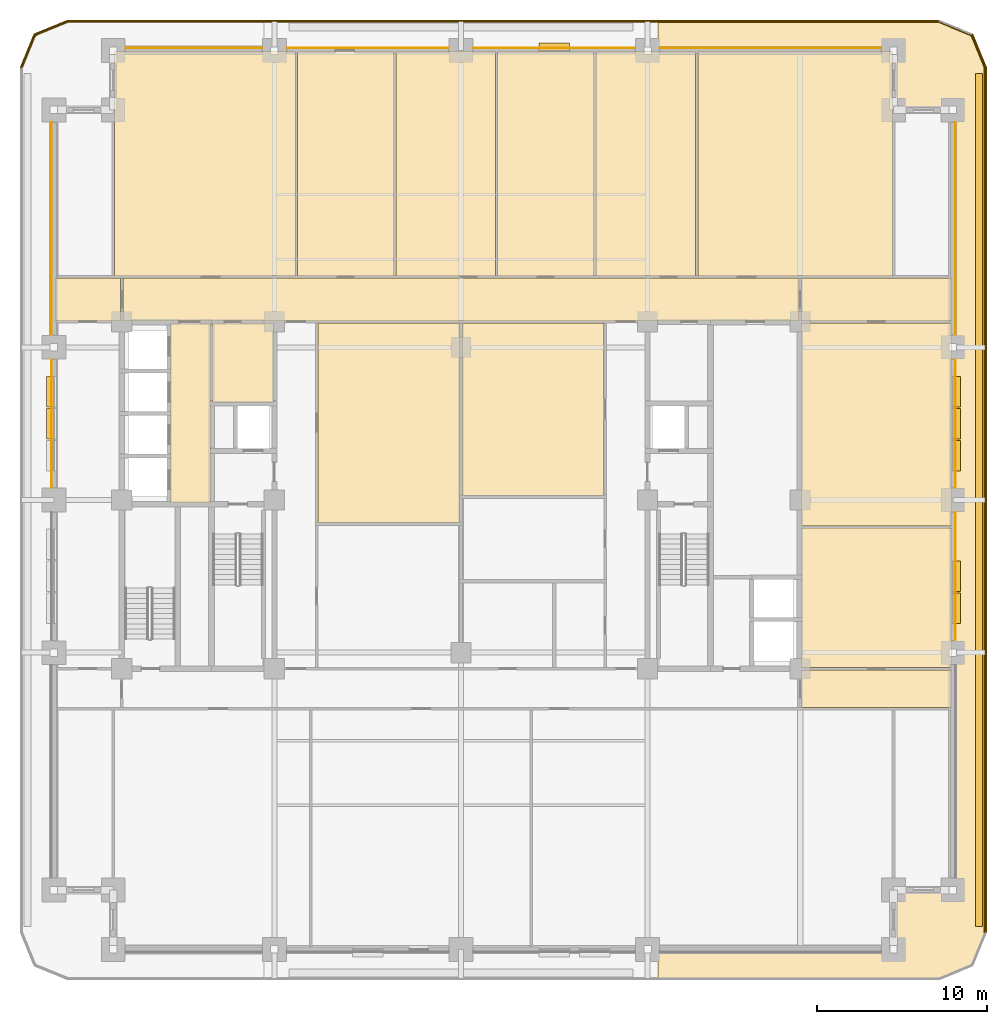
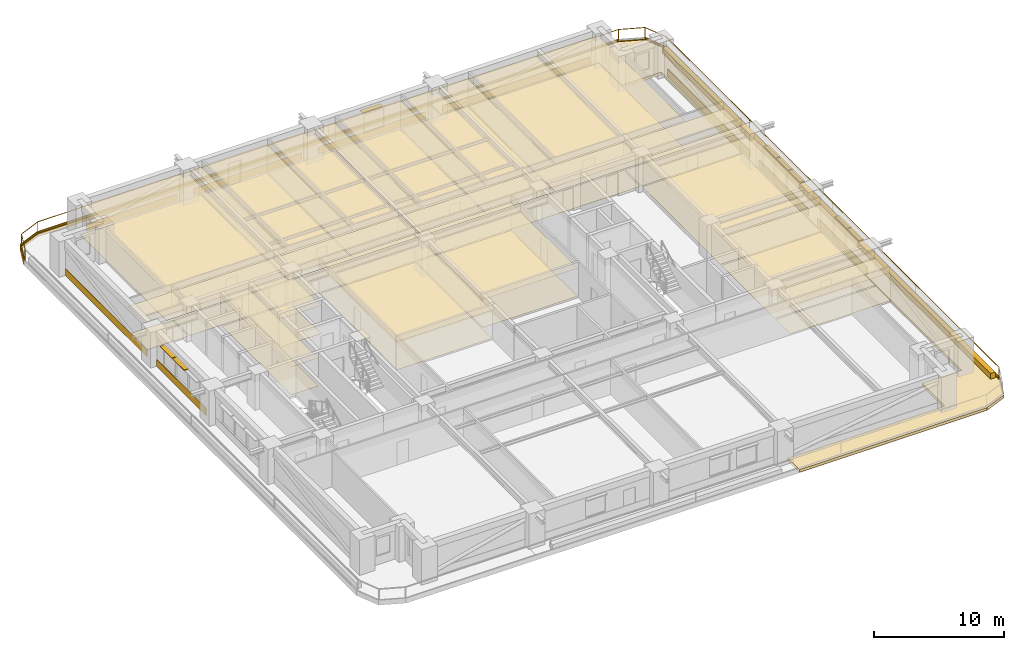
# One storey, part 13 of 14: 48 coverings, 8 shading devices, 2 railings.
"""IFC4 building model written with IfcOpenShell, lengths in metres."""

from ifc_helpers import new_model, si_unit, direction, frame, frame_2d, origin, origin_2d, place, context, subcontext, project, spatial, polyline, rectangle, outline, extrude, material, layer, layer_set, type_object, element, save


model = new_model("IFC4")

# Units and contexts
model_context = context("Model", 3, precision=1e-05, world=origin(), true_north=direction((0.0, 1.0)))
body_context = subcontext(model_context, "Body", "Model", "MODEL_VIEW")
ifc_project = project(units=[si_unit("LENGTHUNIT", "METRE"), si_unit("AREAUNIT", "SQUARE_METRE"), si_unit("VOLUMEUNIT", "CUBIC_METRE"), si_unit("PLANEANGLEUNIT", "RADIAN"), si_unit("MASSUNIT", "GRAM", prefix="KILO")], contexts=[model_context])

# Site, building, storey
site_placement = place(None, origin())
site = spatial("IfcSite", under=ifc_project, at=site_placement, CompositionType="ELEMENT")
building_placement = place(site_placement, origin())
building = spatial("IfcBuilding", under=site, at=building_placement, Name="Zulmaris Gate Convention Tower", CompositionType="ELEMENT")
storey_placement = place(building_placement, frame((0.0, 0.0, 45.050048828125)))
storey = spatial("IfcBuildingStorey", under=building, at=storey_placement, Name="L10", CompositionType="ELEMENT", Elevation=45.050048828125)

# Coverings
ifc_material_1 = material(Name="Precast concrete C40/50", Category="concrete")
ifc_layer_1 = layer(ifc_material_1, 0.0400390625, Name="Precast concrete C40/50")
ifc_layer_set_1 = layer_set([ifc_layer_1], Name="Precast concrete C40/50")
covering_type_1 = type_object("IfcCoveringType", Name="CLAD-SPANDREL-PRECAST", PredefinedType="CLADDING", material=ifc_layer_set_1)
covering_1_placement = place(storey_placement, frame((-11.72998046875, 26.64990234375, 0.0), z_axis=(0.0, 0.0, 1.0), x_axis=(-1.0, 0.0, 0.0)))
element("IfcCovering", 1, at=covering_1_placement, inside=storey, type_object=covering_type_1, Name="CLD-L10-N-0_0", PredefinedType="CLADDING", context=body_context, shape_type="SweptSolid", body=[
    extrude(rectangle(XDim=8.0400390625, YDim=0.0400390625, at=frame_2d((4.02001953125, 0.0))), origin(), (0.0, 0.0, 1.0), 0.679931640625),
])
for number, where, z_axis, x_axis, name in (
    (2, (-0.72998046875, 26.64990234375, 0.0), (0.0, 0.0, 1.0), (-1.0, 0.0, 0.0), "CLD-L10-N-1_0"),
    (3, (10.27001953125, 26.64990234375, 0.0), (0.0, 0.0, 1.0), (-1.0, 0.0, 0.0), "CLD-L10-N-2_0"),
):
    element("IfcCovering", number, at=place(storey_placement, frame(where, z_axis=z_axis, x_axis=x_axis)), inside=storey, type_object=covering_type_1, Name=name, PredefinedType="CLADDING", context=body_context, shape_type="SweptSolid", body=[
        extrude(rectangle(XDim=9.5400390625, YDim=0.0400390625, at=frame_2d((4.77001953125, 0.0))), origin(), (0.0, 0.0, 1.0), 0.679931640625),
    ])
covering_2_placement = place(storey_placement, frame((24.77001953125, 26.64990234375, 0.0), z_axis=(0.0, 0.0, 1.0), x_axis=(-1.0, 0.0, 0.0)))
element("IfcCovering", 4, at=covering_2_placement, inside=storey, type_object=covering_type_1, Name="CLD-L10-N-3_0", PredefinedType="CLADDING", context=body_context, shape_type="SweptSolid", body=[
    extrude(rectangle(XDim=13.0400390625, YDim=0.0400390625, at=frame_2d((6.52001953125, 0.0))), origin(), (0.0, 0.0, 1.0), 0.679931640625),
])
for number, where, z_axis, x_axis, name in (
    (5, (29.14990234375, -8.27001953125, 0.0), (0.0, 0.0, 1.0), (0.0, 1.0, 0.0), "CLD-L10-E-1_0"),
    (6, (29.14990234375, 0.72998046875, 0.0), (0.0, 0.0, 1.0), (0.0, 1.0, 0.0), "CLD-L10-E-2_0"),
):
    element("IfcCovering", number, at=place(storey_placement, frame(where, z_axis=z_axis, x_axis=x_axis)), inside=storey, type_object=covering_type_1, Name=name, PredefinedType="CLADDING", context=body_context, shape_type="SweptSolid", body=[
        extrude(rectangle(XDim=7.5400390625, YDim=0.0400390625, at=frame_2d((3.77001953125, 0.0))), origin(), (0.0, 0.0, 1.0), 0.679931640625),
    ])
covering_3_placement = place(storey_placement, frame((29.14990234375, 9.72998046875, 0.0), z_axis=(0.0, 0.0, 1.0), x_axis=(0.0, 1.0, 0.0)))
element("IfcCovering", 7, at=covering_3_placement, inside=storey, type_object=covering_type_1, Name="CLD-L10-E-3_0", PredefinedType="CLADDING", context=body_context, shape_type="SweptSolid", body=[
    extrude(rectangle(XDim=12.5400390625, YDim=0.0400390625, at=frame_2d((6.27001953125, 0.0))), origin(), (0.0, 0.0, 1.0), 0.679931640625),
])
covering_4_placement = place(storey_placement, frame((-24.14990234375, 8.27001953125, 0.0), z_axis=(0.0, 0.0, 1.0), x_axis=(0.0, -1.0, 0.0)))
element("IfcCovering", 8, at=covering_4_placement, inside=storey, type_object=covering_type_1, Name="CLD-L10-W-2_0", PredefinedType="CLADDING", context=body_context, shape_type="SweptSolid", body=[
    extrude(rectangle(XDim=7.5400390625, YDim=0.0400390625, at=frame_2d((3.77001953125, 0.0))), origin(), (0.0, 0.0, 1.0), 0.679931640625),
])
covering_5_placement = place(storey_placement, frame((-24.14990234375, 22.27001953125, 0.0), z_axis=(0.0, 0.0, 1.0), x_axis=(0.0, -1.0, 0.0)))
element("IfcCovering", 9, at=covering_5_placement, inside=storey, type_object=covering_type_1, Name="CLD-L10-W-3_0", PredefinedType="CLADDING", context=body_context, shape_type="SweptSolid", body=[
    extrude(rectangle(XDim=12.5400390625, YDim=0.0400390625, at=frame_2d((6.27001953125, 0.0))), origin(), (0.0, 0.0, 1.0), 0.679931640625),
])
ifc_material_2 = material(Name="White Glazed Architectural Precast Concrete C40/50", Category="concrete")
ifc_layer_2 = layer(ifc_material_2, 0.239990234375, Name="White Glazed Architectural Precast Concrete C40/50")
ifc_layer_set_2 = layer_set([ifc_layer_2], Name="White Glazed Architectural Precast Concrete C40/50")
covering_type_2 = type_object("IfcCoveringType", Name="CLAD-TRAY-DECK", PredefinedType="CLADDING", material=ifc_layer_set_2)
covering_6_placement = place(storey_placement, frame((0.0, 0.0, -0.25)))
element("IfcCovering", 10, at=covering_6_placement, inside=storey, type_object=covering_type_2, Name="L10 East Rounded-Fascia Planter Tray Deck", PredefinedType="CLADDING", context=body_context, shape_type="SweptSolid", body=[
    extrude(outline(polyline([(28.199951171875, 28.300048828125), (30.179931640625, 27.47998046875), (31.0, 25.5), (31.0, -25.5), (30.179931640625, -27.47998046875), (28.199951171875, -28.300048828125), (11.60205078125, -28.300048828125), (11.60205078125, -26.5), (25.5, -26.5), (25.5, -23.0), (29.0, -23.0), (29.0, 23.0), (25.5, 23.0), (25.5, 26.5), (11.60205078125, 26.5), (11.60205078125, 28.300048828125), (28.199951171875, 28.300048828125)])), origin(), (0.0, 0.0, 1.0), 0.260009765625),
])
ifc_layer_3 = layer(ifc_material_2, 0.080078125, Name="White Glazed Architectural Precast Concrete C40/50")
ifc_layer_set_3 = layer_set([ifc_layer_3], Name="White Glazed Architectural Precast Concrete C40/50")
covering_type_3 = type_object("IfcCoveringType", Name="CLAD-TRAY-FASCIA", PredefinedType="CLADDING", material=ifc_layer_set_3)
covering_7_placement = place(storey_placement, frame((30.9599609375, -25.5, -0.2900390625), z_axis=(0.0, 0.0, 1.0), x_axis=(0.0, 1.0, 0.0)))
element("IfcCovering", 11, at=covering_7_placement, inside=storey, type_object=covering_type_3, Name="FSC-L10-TR-05", PredefinedType="CLADDING", context=body_context, shape_type="SweptSolid", body=[
    extrude(rectangle(XDim=51.0, YDim=0.080078125, at=frame_2d((25.5, 0.0))), origin(), (0.0, 0.0, 1.0), 0.4599609375),
])
covering_8_placement = place(storey_placement, frame((30.962890625, 25.484619140625, -0.2900390625), z_axis=(0.0, 0.0, 1.0), x_axis=(-0.382656984709, 0.923890487046, 0.0)))
element("IfcCovering", 12, at=covering_8_placement, inside=storey, type_object=covering_type_3, Name="FSC-L10-TR-06", PredefinedType="CLADDING", context=body_context, shape_type="SweptSolid", body=[
    extrude(rectangle(XDim=2.14306640625, YDim=0.080078125, at=frame_2d((1.071533203125, 0.0))), origin(), (0.0, 0.0, 1.0), 0.4599609375),
])
covering_9_placement = place(storey_placement, frame((28.199951171875, 28.260009765625, -0.2900390625), z_axis=(0.0, 0.0, 1.0), x_axis=(-1.0, 0.0, 0.0)))
element("IfcCovering", 13, at=covering_9_placement, inside=storey, type_object=covering_type_3, Name="FSC-L10-TR-08", PredefinedType="CLADDING", context=body_context, shape_type="SweptSolid", body=[
    extrude(rectangle(XDim=51.39990234375, YDim=0.080078125, at=frame_2d((25.699951171875, 0.0))), origin(), (0.0, 0.0, 1.0), 0.4599609375),
])
covering_10_placement = place(storey_placement, frame((-23.184814453125, 28.262939453125, -0.2900390625), z_axis=(0.0, 0.0, 1.0), x_axis=(-0.923873803533, -0.382697263049, 0.0)))
element("IfcCovering", 14, at=covering_10_placement, inside=storey, type_object=covering_type_3, Name="FSC-L10-TR-09", PredefinedType="CLADDING", context=body_context, shape_type="SweptSolid", body=[
    extrude(rectangle(XDim=2.142822265625, YDim=0.080078125, at=frame_2d((1.0712890625, 0.0))), origin(), (0.0, 0.0, 1.0), 0.4599609375),
])
covering_11_placement = place(storey_placement, frame((-25.142822265625, 27.464599609375, -0.2900390625), z_axis=(0.0, 0.0, 1.0), x_axis=(-0.382656984709, -0.923890487046, 0.0)))
element("IfcCovering", 15, at=covering_11_placement, inside=storey, type_object=covering_type_3, Name="FSC-L10-TR-10", PredefinedType="CLADDING", context=body_context, shape_type="SweptSolid", body=[
    extrude(rectangle(XDim=2.14306640625, YDim=0.080078125, at=frame_2d((1.071533203125, 0.0))), origin(), (0.0, 0.0, 1.0), 0.4599609375),
])
ifc_material_3 = material(Name="Mineral Fibre Acoustic Ceiling Tile")
ifc_layer_4 = layer(ifc_material_3, 0.02001953125, Name="Mineral Fibre Acoustic Ceiling Tile")
ifc_layer_set_4 = layer_set([ifc_layer_4], Name="Mineral Fibre Acoustic Ceiling Tile")
covering_type_4 = type_object("IfcCoveringType", Name="CLG-ACOUSTIC-600", PredefinedType="CEILING", material=ifc_layer_set_4)
covering_12_placement = place(storey_placement, frame((0.0, 0.0, 2.6279296875)))
element("IfcCovering", 16, at=covering_12_placement, inside=storey, type_object=covering_type_4, Name="CLG-L10-R11", PredefinedType="CEILING", context=body_context, shape_type="SweptSolid", body=[
    extrude(outline(polyline([(-14.639892578125, 5.760009765625), (-11.06005859375, 5.760009765625), (-11.06005859375, 10.43994140625), (-14.639892578125, 10.43994140625), (-14.639892578125, 5.760009765625)])), origin(), (0.0, 0.0, 1.0), 0.02001953125),
])
covering_13_placement = place(storey_placement, frame((0.0, 0.0, 2.6279296875)))
element("IfcCovering", 17, at=covering_13_placement, inside=storey, type_object=covering_type_4, Name="CLG-L10-R15", PredefinedType="CEILING", context=body_context, shape_type="SweptSolid", body=[
    extrude(outline(polyline([(-17.139892578125, -0.18994140625), (-14.760009765625, -0.18994140625), (-14.760009765625, 10.43994140625), (-17.139892578125, 10.43994140625), (-17.139892578125, -0.18994140625)])), origin(), (0.0, 0.0, 1.0), 0.02001953125),
])
covering_14_placement = place(storey_placement, frame((0.0, 0.0, 2.6279296875)))
element("IfcCovering", 18, at=covering_14_placement, inside=storey, type_object=covering_type_4, Name="CLG-L10-R26", PredefinedType="CEILING", context=body_context, shape_type="SweptSolid", body=[
    extrude(outline(polyline([(-19.93994140625, 10.56005859375), (19.93994140625, 10.56005859375), (19.93994140625, 13.090087890625), (-19.93994140625, 13.090087890625), (-19.93994140625, 10.56005859375)])), origin(), (0.0, 0.0, 1.0), 0.02001953125),
])
covering_15_placement = place(storey_placement, frame((0.0, 0.0, 2.6279296875)))
element("IfcCovering", 19, at=covering_15_placement, inside=storey, type_object=covering_type_4, Name="CLG-L10-R30", PredefinedType="CEILING", context=body_context, shape_type="SweptSolid", body=[
    extrude(outline(polyline([(-20.43994140625, 13.2099609375), (-9.760009765625, 13.2099609375), (-9.760009765625, 26.43994140625), (-20.43994140625, 26.43994140625), (-20.43994140625, 13.2099609375)])), origin(), (0.0, 0.0, 1.0), 0.02001953125),
])
covering_16_placement = place(storey_placement, frame((0.0, 0.0, 2.679931640625)))
element("IfcCovering", 20, at=covering_16_placement, inside=storey, type_object=covering_type_4, Name="CLG-L10-R31", PredefinedType="CEILING", context=body_context, shape_type="SweptSolid", body=[
    extrude(outline(polyline([(-9.639892578125, 13.2099609375), (-3.9599609375, 13.2099609375), (-3.9599609375, 26.43994140625), (-9.639892578125, 26.43994140625), (-9.639892578125, 13.2099609375)])), origin(), (0.0, 0.0, 1.0), 0.02001953125),
])
covering_17_placement = place(storey_placement, frame((0.0, 0.0, 2.6279296875)))
element("IfcCovering", 21, at=covering_17_placement, inside=storey, type_object=covering_type_4, Name="CLG-L10-R32", PredefinedType="CEILING", context=body_context, shape_type="SweptSolid", body=[
    extrude(outline(polyline([(-3.840087890625, 13.2099609375), (2.0400390625, 13.2099609375), (2.0400390625, 26.43994140625), (-3.840087890625, 26.43994140625), (-3.840087890625, 13.2099609375)])), origin(), (0.0, 0.0, 1.0), 0.02001953125),
])
covering_18_placement = place(storey_placement, frame((0.0, 0.0, 2.679931640625)))
element("IfcCovering", 22, at=covering_18_placement, inside=storey, type_object=covering_type_4, Name="CLG-L10-R33", PredefinedType="CEILING", context=body_context, shape_type="SweptSolid", body=[
    extrude(outline(polyline([(2.159912109375, 13.2099609375), (7.840087890625, 13.2099609375), (7.840087890625, 26.43994140625), (2.159912109375, 26.43994140625), (2.159912109375, 13.2099609375)])), origin(), (0.0, 0.0, 1.0), 0.02001953125),
])
covering_19_placement = place(storey_placement, frame((0.0, 0.0, 2.6279296875)))
element("IfcCovering", 23, at=covering_19_placement, inside=storey, type_object=covering_type_4, Name="CLG-L10-R34", PredefinedType="CEILING", context=body_context, shape_type="SweptSolid", body=[
    extrude(outline(polyline([(7.9599609375, 13.2099609375), (13.840087890625, 13.2099609375), (13.840087890625, 26.43994140625), (7.9599609375, 26.43994140625), (7.9599609375, 13.2099609375)])), origin(), (0.0, 0.0, 1.0), 0.02001953125),
])
covering_20_placement = place(storey_placement, frame((0.0, 0.0, 2.6279296875)))
element("IfcCovering", 24, at=covering_20_placement, inside=storey, type_object=covering_type_4, Name="CLG-L10-R35", PredefinedType="CEILING", context=body_context, shape_type="SweptSolid", body=[
    extrude(outline(polyline([(13.9599609375, 13.2099609375), (25.43994140625, 13.2099609375), (25.43994140625, 26.43994140625), (13.9599609375, 26.43994140625), (13.9599609375, 13.2099609375)])), origin(), (0.0, 0.0, 1.0), 0.02001953125),
])
covering_21_placement = place(storey_placement, frame((0.0, 0.0, 2.6279296875)))
element("IfcCovering", 25, at=covering_21_placement, inside=storey, type_object=covering_type_4, Name="CLG-L10-R39", PredefinedType="CEILING", context=body_context, shape_type="SweptSolid", body=[
    extrude(outline(polyline([(-8.43994140625, -1.340087890625), (-0.06005859375, -1.340087890625), (-0.06005859375, 10.43994140625), (-8.43994140625, 10.43994140625), (-8.43994140625, -1.340087890625)])), origin(), (0.0, 0.0, 1.0), 0.02001953125),
])
covering_22_placement = place(storey_placement, frame((0.0, 0.0, 2.6279296875)))
element("IfcCovering", 26, at=covering_22_placement, inside=storey, type_object=covering_type_4, Name="CLG-L10-R41", PredefinedType="CEILING", context=body_context, shape_type="SweptSolid", body=[
    extrude(outline(polyline([(0.06005859375, 0.260009765625), (8.43994140625, 0.260009765625), (8.43994140625, 10.43994140625), (0.06005859375, 10.43994140625), (0.06005859375, 0.260009765625)])), origin(), (0.0, 0.0, 1.0), 0.02001953125),
])
covering_23_placement = place(storey_placement, frame((0.0, 0.0, 2.6279296875)))
element("IfcCovering", 27, at=covering_23_placement, inside=storey, type_object=covering_type_4, Name="CLG-L10-R45", PredefinedType="CEILING", context=body_context, shape_type="SweptSolid", body=[
    extrude(outline(polyline([(-23.93994140625, 10.56005859375), (-20.06005859375, 10.56005859375), (-20.06005859375, 13.090087890625), (-23.93994140625, 13.090087890625), (-23.93994140625, 10.56005859375)])), origin(), (0.0, 0.0, 1.0), 0.02001953125),
])
covering_24_placement = place(storey_placement, frame((0.0, 0.0, 2.6279296875)))
element("IfcCovering", 28, at=covering_24_placement, inside=storey, type_object=covering_type_4, Name="CLG-L10-R48", PredefinedType="CEILING", context=body_context, shape_type="SweptSolid", body=[
    extrude(outline(polyline([(20.06005859375, 10.56005859375), (28.93994140625, 10.56005859375), (28.93994140625, 13.090087890625), (20.06005859375, 13.090087890625), (20.06005859375, 10.56005859375)])), origin(), (0.0, 0.0, 1.0), 0.02001953125),
])
covering_25_placement = place(storey_placement, frame((0.0, 0.0, 2.6279296875)))
element("IfcCovering", 29, at=covering_25_placement, inside=storey, type_object=covering_type_4, Name="CLG-L10-R49", PredefinedType="CEILING", context=body_context, shape_type="SweptSolid", body=[
    extrude(outline(polyline([(20.06005859375, -12.239990234375), (28.93994140625, -12.239990234375), (28.93994140625, -10.010009765625), (20.06005859375, -10.010009765625), (20.06005859375, -12.239990234375)])), origin(), (0.0, 0.0, 1.0), 0.02001953125),
])
covering_26_placement = place(storey_placement, frame((0.0, 0.0, 2.6279296875)))
element("IfcCovering", 30, at=covering_26_placement, inside=storey, type_object=covering_type_4, Name="CLG-L10-R50", PredefinedType="CEILING", context=body_context, shape_type="SweptSolid", body=[
    extrude(outline(polyline([(20.06005859375, -1.5400390625), (28.93994140625, -1.5400390625), (28.93994140625, 10.43994140625), (20.06005859375, 10.43994140625), (20.06005859375, -1.5400390625)])), origin(), (0.0, 0.0, 1.0), 0.02001953125),
])
covering_27_placement = place(storey_placement, frame((0.0, 0.0, 2.6279296875)))
element("IfcCovering", 31, at=covering_27_placement, inside=storey, type_object=covering_type_4, Name="CLG-L10-R51", PredefinedType="CEILING", context=body_context, shape_type="SweptSolid", body=[
    extrude(outline(polyline([(20.06005859375, -9.889892578125), (28.93994140625, -9.889892578125), (28.93994140625, -1.659912109375), (20.06005859375, -1.659912109375), (20.06005859375, -9.889892578125)])), origin(), (0.0, 0.0, 1.0), 0.02001953125),
])
ifc_material_4 = material(Name="Woven Acoustic Wool Carpet Tile")
ifc_layer_5 = layer(ifc_material_4, 0.02001953125, Name="Woven Acoustic Wool Carpet Tile")
ifc_layer_set_5 = layer_set([ifc_layer_5], Name="Woven Acoustic Wool Carpet Tile")
covering_type_5 = type_object("IfcCoveringType", Name="FLR-CARPET-12", PredefinedType="FLOORING", material=ifc_layer_set_5)
covering_28_placement = place(storey_placement, origin())
element("IfcCovering", 32, at=covering_28_placement, inside=storey, type_object=covering_type_5, Name="FLR-L10-R11", PredefinedType="FLOORING", context=body_context, shape_type="SweptSolid", body=[
    extrude(outline(polyline([(-14.639892578125, 5.760009765625), (-11.06005859375, 5.760009765625), (-11.06005859375, 10.43994140625), (-14.639892578125, 10.43994140625), (-14.639892578125, 5.760009765625)])), origin(), (0.0, 0.0, 1.0), 0.02001953125),
])
covering_29_placement = place(storey_placement, origin())
element("IfcCovering", 33, at=covering_29_placement, inside=storey, type_object=covering_type_5, Name="FLR-L10-R15", PredefinedType="FLOORING", context=body_context, shape_type="SweptSolid", body=[
    extrude(outline(polyline([(-17.139892578125, -0.18994140625), (-14.760009765625, -0.18994140625), (-14.760009765625, 10.43994140625), (-17.139892578125, 10.43994140625), (-17.139892578125, -0.18994140625)])), origin(), (0.0, 0.0, 1.0), 0.02001953125),
])
covering_30_placement = place(storey_placement, origin())
element("IfcCovering", 34, at=covering_30_placement, inside=storey, type_object=covering_type_5, Name="FLR-L10-R26", PredefinedType="FLOORING", context=body_context, shape_type="SweptSolid", body=[
    extrude(outline(polyline([(-19.93994140625, 10.56005859375), (19.93994140625, 10.56005859375), (19.93994140625, 13.090087890625), (-19.93994140625, 13.090087890625), (-19.93994140625, 10.56005859375)])), origin(), (0.0, 0.0, 1.0), 0.02001953125),
])
covering_31_placement = place(storey_placement, origin())
element("IfcCovering", 35, at=covering_31_placement, inside=storey, type_object=covering_type_5, Name="FLR-L10-R31", PredefinedType="FLOORING", context=body_context, shape_type="SweptSolid", body=[
    extrude(outline(polyline([(-9.639892578125, 13.2099609375), (-3.9599609375, 13.2099609375), (-3.9599609375, 26.43994140625), (-9.639892578125, 26.43994140625), (-9.639892578125, 13.2099609375)])), origin(), (0.0, 0.0, 1.0), 0.02001953125),
])
covering_32_placement = place(storey_placement, origin())
element("IfcCovering", 36, at=covering_32_placement, inside=storey, type_object=covering_type_5, Name="FLR-L10-R32", PredefinedType="FLOORING", context=body_context, shape_type="SweptSolid", body=[
    extrude(outline(polyline([(-3.840087890625, 13.2099609375), (2.0400390625, 13.2099609375), (2.0400390625, 26.43994140625), (-3.840087890625, 26.43994140625), (-3.840087890625, 13.2099609375)])), origin(), (0.0, 0.0, 1.0), 0.02001953125),
])
covering_33_placement = place(storey_placement, origin())
element("IfcCovering", 37, at=covering_33_placement, inside=storey, type_object=covering_type_5, Name="FLR-L10-R33", PredefinedType="FLOORING", context=body_context, shape_type="SweptSolid", body=[
    extrude(outline(polyline([(2.159912109375, 13.2099609375), (7.840087890625, 13.2099609375), (7.840087890625, 26.43994140625), (2.159912109375, 26.43994140625), (2.159912109375, 13.2099609375)])), origin(), (0.0, 0.0, 1.0), 0.02001953125),
])
covering_34_placement = place(storey_placement, origin())
element("IfcCovering", 38, at=covering_34_placement, inside=storey, type_object=covering_type_5, Name="FLR-L10-R35", PredefinedType="FLOORING", context=body_context, shape_type="SweptSolid", body=[
    extrude(outline(polyline([(13.9599609375, 13.2099609375), (25.43994140625, 13.2099609375), (25.43994140625, 26.43994140625), (13.9599609375, 26.43994140625), (13.9599609375, 13.2099609375)])), origin(), (0.0, 0.0, 1.0), 0.02001953125),
])
covering_35_placement = place(storey_placement, origin())
element("IfcCovering", 39, at=covering_35_placement, inside=storey, type_object=covering_type_5, Name="FLR-L10-R41", PredefinedType="FLOORING", context=body_context, shape_type="SweptSolid", body=[
    extrude(outline(polyline([(0.06005859375, 0.260009765625), (8.43994140625, 0.260009765625), (8.43994140625, 10.43994140625), (0.06005859375, 10.43994140625), (0.06005859375, 0.260009765625)])), origin(), (0.0, 0.0, 1.0), 0.02001953125),
])
covering_36_placement = place(storey_placement, origin())
element("IfcCovering", 40, at=covering_36_placement, inside=storey, type_object=covering_type_5, Name="FLR-L10-R45", PredefinedType="FLOORING", context=body_context, shape_type="SweptSolid", body=[
    extrude(outline(polyline([(-23.93994140625, 10.56005859375), (-20.06005859375, 10.56005859375), (-20.06005859375, 13.090087890625), (-23.93994140625, 13.090087890625), (-23.93994140625, 10.56005859375)])), origin(), (0.0, 0.0, 1.0), 0.02001953125),
])
covering_37_placement = place(storey_placement, origin())
element("IfcCovering", 41, at=covering_37_placement, inside=storey, type_object=covering_type_5, Name="FLR-L10-R48", PredefinedType="FLOORING", context=body_context, shape_type="SweptSolid", body=[
    extrude(outline(polyline([(20.06005859375, 10.56005859375), (28.93994140625, 10.56005859375), (28.93994140625, 13.090087890625), (20.06005859375, 13.090087890625), (20.06005859375, 10.56005859375)])), origin(), (0.0, 0.0, 1.0), 0.02001953125),
])
covering_38_placement = place(storey_placement, origin())
element("IfcCovering", 42, at=covering_38_placement, inside=storey, type_object=covering_type_5, Name="FLR-L10-R49", PredefinedType="FLOORING", context=body_context, shape_type="SweptSolid", body=[
    extrude(outline(polyline([(20.06005859375, -12.239990234375), (28.93994140625, -12.239990234375), (28.93994140625, -10.010009765625), (20.06005859375, -10.010009765625), (20.06005859375, -12.239990234375)])), origin(), (0.0, 0.0, 1.0), 0.02001953125),
])
covering_39_placement = place(storey_placement, origin())
element("IfcCovering", 43, at=covering_39_placement, inside=storey, type_object=covering_type_5, Name="FLR-L10-R50", PredefinedType="FLOORING", context=body_context, shape_type="SweptSolid", body=[
    extrude(outline(polyline([(20.06005859375, -1.5400390625), (28.93994140625, -1.5400390625), (28.93994140625, 10.43994140625), (20.06005859375, 10.43994140625), (20.06005859375, -1.5400390625)])), origin(), (0.0, 0.0, 1.0), 0.02001953125),
])
covering_40_placement = place(storey_placement, origin())
element("IfcCovering", 44, at=covering_40_placement, inside=storey, type_object=covering_type_5, Name="FLR-L10-R51", PredefinedType="FLOORING", context=body_context, shape_type="SweptSolid", body=[
    extrude(outline(polyline([(20.06005859375, -9.889892578125), (28.93994140625, -9.889892578125), (28.93994140625, -1.659912109375), (20.06005859375, -1.659912109375), (20.06005859375, -9.889892578125)])), origin(), (0.0, 0.0, 1.0), 0.02001953125),
])
ifc_material_5 = material(Name="Engineered Teak Parquet Flooring")
ifc_layer_6 = layer(ifc_material_5, 0.02001953125, Name="Engineered Teak Parquet Flooring")
ifc_layer_set_6 = layer_set([ifc_layer_6], Name="Engineered Teak Parquet Flooring")
covering_type_6 = type_object("IfcCoveringType", Name="FLR-TIMBER-18", PredefinedType="FLOORING", material=ifc_layer_set_6)
covering_41_placement = place(storey_placement, origin())
element("IfcCovering", 45, at=covering_41_placement, inside=storey, type_object=covering_type_6, Name="FLR-L10-R30", PredefinedType="FLOORING", context=body_context, shape_type="SweptSolid", body=[
    extrude(outline(polyline([(-20.43994140625, 13.2099609375), (-9.760009765625, 13.2099609375), (-9.760009765625, 26.43994140625), (-20.43994140625, 26.43994140625), (-20.43994140625, 13.2099609375)])), origin(), (0.0, 0.0, 1.0), 0.02001953125),
])
covering_42_placement = place(storey_placement, origin())
element("IfcCovering", 46, at=covering_42_placement, inside=storey, type_object=covering_type_6, Name="FLR-L10-R34", PredefinedType="FLOORING", context=body_context, shape_type="SweptSolid", body=[
    extrude(outline(polyline([(7.9599609375, 13.2099609375), (13.840087890625, 13.2099609375), (13.840087890625, 26.43994140625), (7.9599609375, 26.43994140625), (7.9599609375, 13.2099609375)])), origin(), (0.0, 0.0, 1.0), 0.02001953125),
])
covering_43_placement = place(storey_placement, origin())
element("IfcCovering", 47, at=covering_43_placement, inside=storey, type_object=covering_type_6, Name="FLR-L10-R39", PredefinedType="FLOORING", context=body_context, shape_type="SweptSolid", body=[
    extrude(outline(polyline([(-8.43994140625, -1.340087890625), (-0.06005859375, -1.340087890625), (-0.06005859375, 10.43994140625), (-8.43994140625, 10.43994140625), (-8.43994140625, -1.340087890625)])), origin(), (0.0, 0.0, 1.0), 0.02001953125),
])
ifc_material_6 = material(Name="Botanical Green Glazed Precast Concrete C40/50", Category="concrete")
ifc_layer_7 = layer(ifc_material_6, 0.419921875, Name="Botanical Green Glazed Precast Concrete C40/50")
ifc_layer_set_7 = layer_set([ifc_layer_7], Name="Botanical Green Glazed Precast Concrete C40/50")
covering_type_7 = type_object("IfcCoveringType", Name="PLANTER-BOX-200", PredefinedType="CLADDING", material=ifc_layer_set_7)
covering_44_placement = place(storey_placement, frame((0.0, 0.0, 0.010009765625)))
element("IfcCovering", 48, at=covering_44_placement, inside=storey, type_object=covering_type_7, Name="L10 E Full-Length Balcony Tree Planter Trough", PredefinedType="CLADDING", context=body_context, shape_type="SweptSolid", body=[
    extrude(outline(polyline([(30.340087890625, -25.14990234375), (30.760009765625, -25.14990234375), (30.760009765625, 25.14990234375), (30.340087890625, 25.14990234375), (30.340087890625, -25.14990234375)])), origin(), (0.0, 0.0, 1.0), 0.52001953125),
])

# Railings
ifc_material_7 = material(Name="Laminated Glass and Stainless Steel", Category="steel")
railing_type = type_object("IfcRailingType", Name="RL-BALC-1150", PredefinedType="BALUSTRADE", material=ifc_material_7)
railing_1_placement = place(storey_placement, frame((30.8798828125, -25.5, 0.010009765625)))
element("IfcRailing", 49, at=railing_1_placement, inside=storey, type_object=railing_type, Name="RL-L10-BALC-E", PredefinedType="BALUSTRADE", context=body_context, shape_type="SweptSolid", body=[
    extrude(rectangle(XDim=0.048095703125, YDim=0.048095703125, at=origin_2d()), frame((0.0, 0.0, 1.1259765625), z_axis=(0.0, 1.0, 0.0), x_axis=(-1.0, 0.0, 0.0)), (0.0, 0.0, 1.0), 51.0),
    extrude(rectangle(XDim=0.048095703125, YDim=0.048095703125, at=origin_2d()), frame((0.0, 0.0, 0.02392578125), z_axis=(0.0, 1.0, 0.0), x_axis=(-1.0, 0.0, 0.0)), (0.0, 0.0, 1.0), 51.0),
    extrude(rectangle(XDim=0.0419921875, YDim=0.0419921875, at=origin_2d()), origin(), (0.0, 0.0, 1.0), 1.101806640625),
    extrude(rectangle(XDim=0.0419921875, YDim=0.0419921875, at=origin_2d()), frame((0.0, 12.75, 0.0)), (0.0, 0.0, 1.0), 1.101806640625),
    extrude(rectangle(XDim=0.0419921875, YDim=0.0419921875, at=origin_2d()), frame((0.0, 25.5, 0.0)), (0.0, 0.0, 1.0), 1.101806640625),
    extrude(rectangle(XDim=0.0419921875, YDim=0.0419921875, at=origin_2d()), frame((0.0, 38.25, 0.0)), (0.0, 0.0, 1.0), 1.101806640625),
    extrude(rectangle(XDim=0.0419921875, YDim=0.0419921875, at=origin_2d()), frame((0.0, 51.0, 0.0)), (0.0, 0.0, 1.0), 1.101806640625),
])
railing_2_placement = place(storey_placement, frame((30.8798828125, 25.5, 0.010009765625)))
element("IfcRailing", 50, at=railing_2_placement, inside=storey, type_object=railing_type, Name="RL-L10-BALC-N", PredefinedType="BALUSTRADE", context=body_context, shape_type="SweptSolid", body=[
    extrude(rectangle(XDim=0.048095703125, YDim=0.048095703125, at=origin_2d()), frame((0.0, 0.0, 1.1259765625), z_axis=(-0.382670664694, 0.92388482095, 0.0), x_axis=(-0.92388482095, -0.382670664694, 0.0)), (0.0, 0.0, 1.0), 2.051025390625),
    extrude(rectangle(XDim=0.048095703125, YDim=0.048095703125, at=origin_2d()), frame((0.0, 0.0, 0.02392578125), z_axis=(-0.382670664694, 0.92388482095, 0.0), x_axis=(-0.92388482095, -0.382670664694, 0.0)), (0.0, 0.0, 1.0), 2.051025390625),
    extrude(rectangle(XDim=0.048095703125, YDim=0.048095703125, at=origin_2d()), frame((-0.784912109375, 1.89501953125, 1.1259765625), z_axis=(-0.92388482095, 0.382670664694, 0.0), x_axis=(-0.382670664694, -0.92388482095, 0.0)), (0.0, 0.0, 1.0), 2.051025390625),
    extrude(rectangle(XDim=0.048095703125, YDim=0.048095703125, at=origin_2d()), frame((-0.784912109375, 1.89501953125, 0.02392578125), z_axis=(-0.92388482095, 0.382670664694, 0.0), x_axis=(-0.382670664694, -0.92388482095, 0.0)), (0.0, 0.0, 1.0), 2.051025390625),
    extrude(rectangle(XDim=0.048095703125, YDim=0.048095703125, at=origin_2d()), frame((-2.679931640625, 2.679931640625, 1.1259765625), z_axis=(-1.0, 0.0, 0.0), x_axis=(0.0, -1.0, 0.0)), (0.0, 0.0, 1.0), 51.39990234375),
    extrude(rectangle(XDim=0.048095703125, YDim=0.048095703125, at=origin_2d()), frame((-2.679931640625, 2.679931640625, 0.02392578125), z_axis=(-1.0, 0.0, 0.0), x_axis=(0.0, -1.0, 0.0)), (0.0, 0.0, 1.0), 51.39990234375),
    extrude(rectangle(XDim=0.048095703125, YDim=0.048095703125, at=origin_2d()), frame((-54.079833984375, 2.679931640625, 1.1259765625), z_axis=(-0.92388482095, -0.382670664694, 0.0), x_axis=(0.382670664694, -0.92388482095, 0.0)), (0.0, 0.0, 1.0), 2.051025390625),
    extrude(rectangle(XDim=0.048095703125, YDim=0.048095703125, at=origin_2d()), frame((-54.079833984375, 2.679931640625, 0.02392578125), z_axis=(-0.92388482095, -0.382670664694, 0.0), x_axis=(0.382670664694, -0.92388482095, 0.0)), (0.0, 0.0, 1.0), 2.051025390625),
    extrude(rectangle(XDim=0.048095703125, YDim=0.048095703125, at=origin_2d()), frame((-55.974853515625, 1.89501953125, 1.1259765625), z_axis=(-0.382670664694, -0.92388482095, 0.0), x_axis=(0.92388482095, -0.382670664694, 0.0)), (0.0, 0.0, 1.0), 2.051025390625),
    extrude(rectangle(XDim=0.048095703125, YDim=0.048095703125, at=origin_2d()), frame((-55.974853515625, 1.89501953125, 0.02392578125), z_axis=(-0.382670664694, -0.92388482095, 0.0), x_axis=(0.92388482095, -0.382670664694, 0.0)), (0.0, 0.0, 1.0), 2.051025390625),
    extrude(rectangle(XDim=0.0419921875, YDim=0.0419921875, at=origin_2d()), origin(), (0.0, 0.0, 1.0), 1.101806640625),
    extrude(rectangle(XDim=0.0419921875, YDim=0.0419921875, at=origin_2d()), frame((-0.784912109375, 1.89501953125, 0.0)), (0.0, 0.0, 1.0), 1.101806640625),
    extrude(rectangle(XDim=0.0419921875, YDim=0.0419921875, at=origin_2d()), frame((-2.679931640625, 2.679931640625, 0.0)), (0.0, 0.0, 1.0), 1.101806640625),
    extrude(rectangle(XDim=0.0419921875, YDim=0.0419921875, at=origin_2d()), frame((-15.52978515625, 2.679931640625, 0.0)), (0.0, 0.0, 1.0), 1.101806640625),
    extrude(rectangle(XDim=0.0419921875, YDim=0.0419921875, at=origin_2d()), frame((-28.3798828125, 2.679931640625, 0.0)), (0.0, 0.0, 1.0), 1.101806640625),
    extrude(rectangle(XDim=0.0419921875, YDim=0.0419921875, at=origin_2d()), frame((-41.22998046875, 2.679931640625, 0.0)), (0.0, 0.0, 1.0), 1.101806640625),
    extrude(rectangle(XDim=0.0419921875, YDim=0.0419921875, at=origin_2d()), frame((-54.079833984375, 2.679931640625, 0.0)), (0.0, 0.0, 1.0), 1.101806640625),
    extrude(rectangle(XDim=0.0419921875, YDim=0.0419921875, at=origin_2d()), frame((-55.974853515625, 1.89501953125, 0.0)), (0.0, 0.0, 1.0), 1.101806640625),
    extrude(rectangle(XDim=0.0419921875, YDim=0.0419921875, at=origin_2d()), frame((-56.759765625, 0.0, 0.0)), (0.0, 0.0, 1.0), 1.101806640625),
])

# Shading devices
ifc_material_8 = material(Name="Glazed Ceramic Terracotta", Category="masonry")
ifc_layer_8 = layer(ifc_material_8, 0.070068359375, Name="Glazed Ceramic Terracotta")
ifc_layer_set_8 = layer_set([ifc_layer_8], Name="Glazed Ceramic Terracotta")
shading_device_type = type_object("IfcShadingDeviceType", Name="SHD-SUNSHADE-TC", PredefinedType="AWNING", material=ifc_layer_set_8)
for number, where, z_axis, x_axis, name in (
    (51, (6.39990234375, 26.719970703125, 2.530029296875), (0.0, 0.0, 1.0), (-1.0, 0.0, 0.0), "SHD-EW-L10-N-2_0-2"),
    (52, (29.219970703125, -7.284912109375, 2.530029296875), (0.0, 0.0, 1.0), (0.0, 1.0, 0.0), "SHD-EW-L10-E-1_0-1"),
    (53, (29.219970703125, -5.39990234375, 2.530029296875), (0.0, 0.0, 1.0), (0.0, 1.0, 0.0), "SHD-EW-L10-E-1_0-2"),
    (54, (29.219970703125, 1.715087890625, 2.530029296875), (0.0, 0.0, 1.0), (0.0, 1.0, 0.0), "SHD-EW-L10-E-2_0-1"),
    (55, (29.219970703125, 3.60009765625, 2.530029296875), (0.0, 0.0, 1.0), (0.0, 1.0, 0.0), "SHD-EW-L10-E-2_0-2"),
    (56, (29.219970703125, 5.485107421875, 2.530029296875), (0.0, 0.0, 1.0), (0.0, 1.0, 0.0), "SHD-EW-L10-E-2_0-3"),
    (57, (-24.219970703125, 7.284912109375, 2.530029296875), (0.0, 0.0, 1.0), (0.0, -1.0, 0.0), "SHD-EW-L10-W-2_0-1"),
    (58, (-24.219970703125, 5.39990234375, 2.530029296875), (0.0, 0.0, 1.0), (0.0, -1.0, 0.0), "SHD-EW-L10-W-2_0-2"),
):
    element("IfcShadingDevice", number, at=place(storey_placement, frame(where, z_axis=z_axis, x_axis=x_axis)), inside=storey, type_object=shading_device_type, Name=name, PredefinedType="AWNING", context=body_context, shape_type="SweptSolid", body=[
        extrude(rectangle(XDim=1.7998046875, YDim=0.43994140625, at=frame_2d((0.89990234375, 0.0))), origin(), (0.0, 0.0, 1.0), 0.06982421875),
    ])

save(model, "model.ifc")
